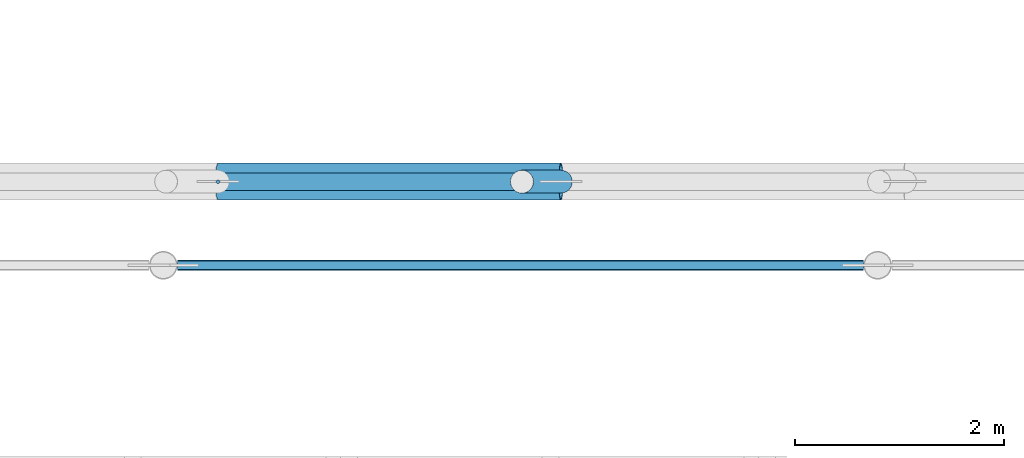
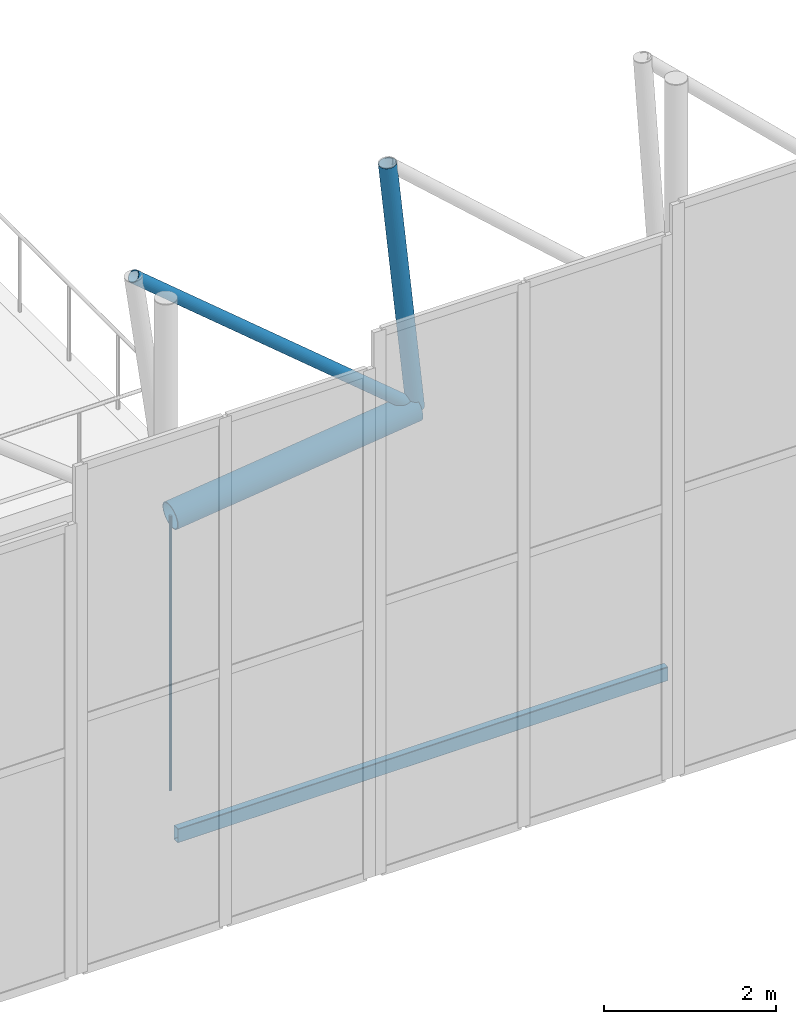
# One storey, part 178 of 321: 5 members.
"""IFC4 building model written with IfcOpenShell, lengths in metres."""

from ifc_helpers import new_model, si_unit, direction, frame, origin, origin_2d, place, context, subcontext, project, spatial, hollow_rectangle, circle, hollow_circle, extrude, material, material_profile, profile_set, type_object, element, save


model = new_model("IFC4")

# Units and contexts
model_context = context("Model", 3, precision=1e-05, world=origin(), true_north=direction((0.0, 1.0)))
body_context = subcontext(model_context, "Body", "Model", "MODEL_VIEW")
ifc_project = project(units=[si_unit("LENGTHUNIT", "METRE"), si_unit("AREAUNIT", "SQUARE_METRE"), si_unit("VOLUMEUNIT", "CUBIC_METRE"), si_unit("PLANEANGLEUNIT", "RADIAN"), si_unit("MASSUNIT", "GRAM", prefix="KILO")], contexts=[model_context])

# Site, building, storey
site_placement = place(None, origin())
site = spatial("IfcSite", under=ifc_project, at=site_placement, CompositionType="ELEMENT")
building_placement = place(site_placement, origin())
building = spatial("IfcBuilding", under=site, at=building_placement, Name="Ravi Spectrum Wholesale Market", CompositionType="ELEMENT")
storey_placement = place(building_placement, frame((0.0, 0.0, 10.800048828125)))
storey = spatial("IfcBuildingStorey", under=building, at=storey_placement, Name="L02", CompositionType="ELEMENT", Elevation=10.800048828125)

# Members
ifc_material_1 = material(Name="Steel S355", Category="steel")
ifc_material_profile_1 = material_profile(ifc_material_1, hollow_circle(Radius=0.084228515625, WallThickness=0.00634765625, at=origin_2d()))
ifc_profile_set_1 = profile_set([ifc_material_profile_1], Name="Steel S355")
member_type_1 = type_object("IfcMemberType", Name="CHS 168.3x6.3 brace", PredefinedType="BRACE", material=ifc_profile_set_1)
member_1_placement = place(storey_placement, frame((56.321533203125, 198.0, 7.45458984375), z_axis=(0.766252893925, 0.0, -0.642539105854), x_axis=(0.0, 1.0, 0.0)))
element("IfcMember", 1, at=member_1_placement, inside=storey, type_object=member_type_1, Name="H1-MB-L02-1213", PredefinedType="BRACE", context=body_context, shape_type="SweptSolid", body=[
    extrude(hollow_circle(Radius=0.084228515625, WallThickness=0.00634765625, at=origin_2d()), origin(), (0.0, 0.0, 1.0), 4.9296875),
])
ifc_material_2 = material(Name="Steel S355", Category="steel")
ifc_material_profile_2 = material_profile(ifc_material_2, hollow_circle(Radius=0.109619140625, WallThickness=0.008056640625, at=origin_2d()))
ifc_profile_set_2 = profile_set([ifc_material_profile_2], Name="Steel S355")
member_type_2 = type_object("IfcMemberType", Name="CHS 219.1x8 post", PredefinedType="POST", material=ifc_profile_set_2)
member_2_placement = place(storey_placement, frame((59.726806640625, 198.0, 7.867919921875), z_axis=(0.103350310801, 0.0, -0.994645018716), x_axis=(0.0, 1.0, 0.0)))
element("IfcMember", 2, at=member_2_placement, inside=storey, type_object=member_type_2, Name="H1-MB-L02-1191", PredefinedType="POST", context=body_context, shape_type="SweptSolid", body=[
    extrude(hollow_circle(Radius=0.109619140625, WallThickness=0.008056640625, at=origin_2d()), origin(), (0.0, 0.0, 1.0), 3.60009765625),
])
ifc_material_3 = material(Name="Steel S355", Category="steel")
ifc_material_profile_3 = material_profile(ifc_material_3, hollow_circle(Radius=0.177734375, WallThickness=0.012451171875, at=origin_2d()))
ifc_profile_set_3 = profile_set([ifc_material_profile_3], Name="Steel S355")
member_type_3 = type_object("IfcMemberType", Name="CHS 355.6x12.5 chord", PredefinedType="CHORD", material=ifc_profile_set_3)
member_3_placement = place(storey_placement, frame((56.81689453125, 198.0, 3.888916015625), z_axis=(0.99272014244, 0.0, 0.120443840833), x_axis=(0.0, 1.0, 0.0)))
element("IfcMember", 3, at=member_3_placement, inside=storey, type_object=member_type_3, Name="H1-MB-L02-1167", PredefinedType="CHORD", context=body_context, shape_type="SweptSolid", body=[
    extrude(hollow_circle(Radius=0.177734375, WallThickness=0.012451171875, at=origin_2d()), origin(), (0.0, 0.0, 1.0), 3.30615234375),
])
ifc_material_4 = material(Name="Steel S355", Category="steel")
ifc_material_profile_4 = material_profile(ifc_material_4, hollow_rectangle(XDim=0.10009765625, YDim=0.199951171875, WallThickness=0.00634765625, InnerFilletRadius=0.00634765625, OuterFilletRadius=0.0126953125, at=origin_2d()))
ifc_profile_set_4 = profile_set([ifc_material_profile_4], Name="Steel S355")
member_type_4 = type_object("IfcMemberType", Name="RHS 200x100x6.3 strut", PredefinedType="STRUT", material=ifc_profile_set_4)
member_4_placement = place(storey_placement, frame((56.43017578125, 197.199951171875, 0.0), z_axis=(1.0, 0.0, 0.0), x_axis=(0.0, 1.0, 0.0)))
element("IfcMember", 4, at=member_4_placement, inside=storey, type_object=member_type_4, Name="H1-MB-L02-1756", PredefinedType="STRUT", context=body_context, shape_type="SweptSolid", body=[
    extrude(hollow_rectangle(XDim=0.10009765625, YDim=0.199951171875, WallThickness=0.00634765625, InnerFilletRadius=0.00634765625, OuterFilletRadius=0.0126953125, at=origin_2d()), origin(), (0.0, 0.0, 1.0), 6.563720703125),
])
ifc_material_5 = material(Name="Steel S355", Category="steel")
ifc_material_profile_5 = material_profile(ifc_material_5, circle(Radius=0.01806640625, at=origin_2d()))
ifc_profile_set_5 = profile_set([ifc_material_profile_5], Name="Steel S355")
member_type_5 = type_object("IfcMemberType", Name="ROD 36 hanger", PredefinedType="STRUT", material=ifc_profile_set_5)
member_5_placement = place(storey_placement, frame((56.81689453125, 198.0, 0.0), z_axis=(0.0, 0.0, 1.0), x_axis=(1.0, 0.0, 0.0)))
element("IfcMember", 5, at=member_5_placement, inside=storey, type_object=member_type_5, Name="H1-MB-L02-1230", PredefinedType="STRUT", context=body_context, shape_type="SweptSolid", body=[
    extrude(circle(Radius=0.01806640625, at=origin_2d()), origin(), (0.0, 0.0, 1.0), 3.888916015625),
])

save(model, "model.ifc")
